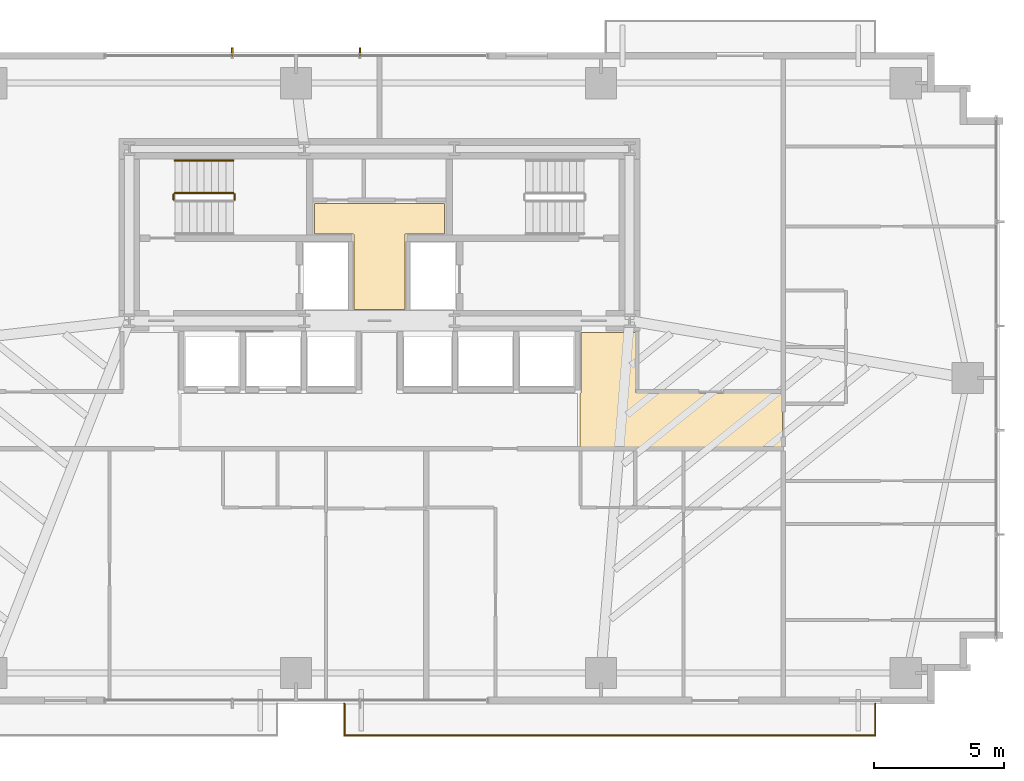
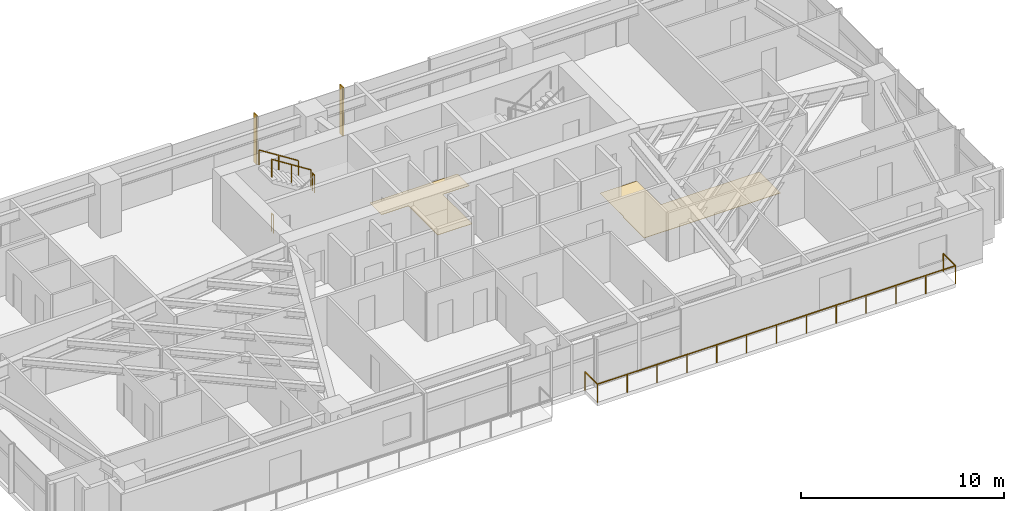
# One storey, part 24 of 25: 5 railings, 2 coverings, 2 shading devices.
"""IFC4 building model written with IfcOpenShell, lengths in metres."""

from ifc_helpers import new_model, si_unit, direction, frame, origin, origin_2d, place, context, subcontext, project, spatial, polyline, rectangle, outline, extrude, source, transform, mapped, material, layer, layer_set, type_object, type_shapes, element, save


model = new_model("IFC4")

# Units and contexts
model_context = context("Model", 3, precision=1e-05, world=origin(), true_north=direction((0.0, 1.0)))
body_context = subcontext(model_context, "Body", "Model", "MODEL_VIEW")
ifc_project = project(units=[si_unit("LENGTHUNIT", "METRE"), si_unit("AREAUNIT", "SQUARE_METRE"), si_unit("VOLUMEUNIT", "CUBIC_METRE"), si_unit("PLANEANGLEUNIT", "RADIAN"), si_unit("MASSUNIT", "GRAM", prefix="KILO")], contexts=[model_context])

# Site, building, storey
site_placement = place(None, origin())
site = spatial("IfcSite", under=ifc_project, at=site_placement, CompositionType="ELEMENT")
building_placement = place(site_placement, origin())
building = spatial("IfcBuilding", under=site, at=building_placement, Name="Astriad Promenade Condominiums", CompositionType="ELEMENT")
storey_placement = place(building_placement, frame((0.0, 0.0, 32.60009765625)))
storey = spatial("IfcBuildingStorey", under=building, at=storey_placement, Name="L08", CompositionType="ELEMENT", Elevation=32.60009765625)

# Coverings
ifc_material_1 = material(Name="Polished Lakefront Terrazzo Flooring")
ifc_layer = layer(ifc_material_1, 0.02001953125)
ifc_layer_set = layer_set([ifc_layer], Name="Polished Lakefront Terrazzo Flooring")
covering_type = type_object("IfcCoveringType", Name="COV-FLOR-TERRAZZO-20", PredefinedType="FLOORING", material=ifc_layer_set)
covering_1_placement = place(storey_placement, origin())
element("IfcCovering", 1, at=covering_1_placement, inside=storey, type_object=covering_type, Name="FLR-L08-CSL", PredefinedType="FLOORING", context=body_context, shape_type="SweptSolid", body=[
    extrude(outline(polyline([(36.97998046875, 20.699951171875), (36.97998046875, 17.840087890625), (35.02001953125, 17.840087890625), (35.02001953125, 20.699951171875), (35.019775390625, 20.703857421875), (35.019287109375, 20.707763671875), (35.018310546875, 20.711669921875), (35.01708984375, 20.71533203125), (35.015380859375, 20.718994140625), (35.01318359375, 20.72216796875), (35.010986328125, 20.725341796875), (35.00830078125, 20.728271484375), (35.00537109375, 20.73095703125), (35.002197265625, 20.7333984375), (34.998779296875, 20.7353515625), (34.995361328125, 20.737060546875), (34.99169921875, 20.73828125), (34.98779296875, 20.7392578125), (34.98388671875, 20.73974609375), (34.97998046875, 20.739990234375), (33.5, 20.739990234375), (33.5, 21.909912109375), (38.5, 21.909912109375), (38.5, 20.739990234375), (37.02001953125, 20.739990234375), (37.01611328125, 20.73974609375), (37.01220703125, 20.7392578125), (37.00830078125, 20.73828125), (37.004638671875, 20.737060546875), (37.001220703125, 20.7353515625), (36.997802734375, 20.7333984375), (36.99462890625, 20.73095703125), (36.99169921875, 20.728271484375), (36.989013671875, 20.725341796875), (36.98681640625, 20.72216796875), (36.984619140625, 20.718994140625), (36.98291015625, 20.71533203125), (36.981689453125, 20.711669921875), (36.980712890625, 20.707763671875), (36.980224609375, 20.703857421875), (36.97998046875, 20.699951171875)])), origin(), (0.0, 0.0, 1.0), 0.02001953125),
])
covering_2_placement = place(storey_placement, origin())
element("IfcCovering", 2, at=covering_2_placement, inside=storey, type_object=covering_type, Name="FLR-L08-COR-1", PredefinedType="FLOORING", context=body_context, shape_type="SweptSolid", body=[
    extrude(outline(polyline([(43.699951171875, 12.530029296875), (43.699951171875, 14.610107421875), (43.703857421875, 14.610107421875), (43.707763671875, 14.61083984375), (43.711669921875, 14.61181640625), (43.71533203125, 14.613037109375), (43.718994140625, 14.61474609375), (43.72216796875, 14.61669921875), (43.725341796875, 14.619140625), (43.728271484375, 14.62158203125), (43.73095703125, 14.62451171875), (43.7333984375, 14.627685546875), (43.7353515625, 14.631103515625), (43.737060546875, 14.634765625), (43.73828125, 14.638427734375), (43.7392578125, 14.64208984375), (43.73974609375, 14.64599609375), (43.739990234375, 14.64990234375), (43.739990234375, 16.9599609375), (45.840087890625, 16.9599609375), (45.840087890625, 14.659912109375), (45.840087890625, 14.656005859375), (45.8408203125, 14.652099609375), (45.841796875, 14.6484375), (45.843017578125, 14.644775390625), (45.8447265625, 14.64111328125), (45.8466796875, 14.6376953125), (45.84912109375, 14.634521484375), (45.851806640625, 14.631591796875), (45.8544921875, 14.629150390625), (45.85791015625, 14.626708984375), (45.861083984375, 14.624755859375), (45.86474609375, 14.623046875), (45.868408203125, 14.62158203125), (45.872314453125, 14.620849609375), (45.876220703125, 14.6201171875), (45.8798828125, 14.6201171875), (51.4599609375, 14.6201171875), (51.4599609375, 12.530029296875), (43.699951171875, 12.530029296875)])), origin(), (0.0, 0.0, 1.0), 0.02001953125),
])

# Shading devices
ifc_material_2 = material(Name="Anodised aluminium 6063-T6 Black Fin", Category="aluminium")
shading_device_type = type_object("IfcShadingDeviceType", Name="FIN-BLACK-320", PredefinedType="USERDEFINED", material=ifc_material_2)
shared_shape_1 = source(origin(), body_context, "Body", "SweptSolid", [
    extrude(rectangle(XDim=0.06494140625, YDim=0.320068359375, at=origin_2d()), origin(), (0.0, 0.0, 1.0), 2.93994140625),
])
type_shapes(shading_device_type, [shared_shape_1])
for number, where, z_axis, x_axis, name in (
    (3, (30.35009765625, 27.7099609375, 0.0), (0.0, 0.0, 1.0), (1.0, 0.0, 0.0), "CW-L08-N-FIN-01"),
    (4, (35.25, 27.7099609375, 0.0), (0.0, 0.0, 1.0), (1.0, 0.0, 0.0), "CW-L08-N-FIN-02"),
):
    element("IfcShadingDevice", number, at=place(storey_placement, frame(where, z_axis=z_axis, x_axis=x_axis)), inside=storey, type_object=shading_device_type, Name=name, ObjectType="FIN", PredefinedType="USERDEFINED", context=body_context, shape_type="MappedRepresentation", body=[
        mapped(shared_shape_1, transform((0.0, 0.0, 0.0), scale=1.0)),
    ])

# Railings
ifc_material_3 = material(Name="Laminated Glass and Stainless Steel Balustrade", Category="steel")
railing_type_1 = type_object("IfcRailingType", Name="GRD-BALC-1120", PredefinedType="BALUSTRADE", material=ifc_material_3)
shared_shape_2 = source(origin(), body_context, "Body", "SweptSolid", [
    extrude(rectangle(XDim=0.048095703125, YDim=0.048095703125, at=origin_2d()), frame((0.0, 0.0, 1.09619140625), z_axis=(0.0, -1.0, 0.0), x_axis=(1.0, 0.0, 0.0)), (0.0, 0.0, 1.0), 1.219970703125),
    extrude(rectangle(XDim=0.048095703125, YDim=0.048095703125, at=origin_2d()), frame((0.0, -1.219970703125, 1.09619140625), z_axis=(1.0, 0.0, 0.0), x_axis=(0.0, 1.0, 0.0)), (0.0, 0.0, 1.0), 20.37109375),
    extrude(rectangle(XDim=0.048095703125, YDim=0.048095703125, at=origin_2d()), frame((20.37109375, -1.219970703125, 1.09619140625), z_axis=(0.0, 1.0, 0.0), x_axis=(-1.0, 0.0, 0.0)), (0.0, 0.0, 1.0), 1.219970703125),
    extrude(rectangle(XDim=0.0419921875, YDim=0.0419921875, at=origin_2d()), origin(), (0.0, 0.0, 1.0), 1.072021484375),
    extrude(rectangle(XDim=0.0419921875, YDim=0.0419921875, at=origin_2d()), frame((0.0, -1.219970703125, 0.0)), (0.0, 0.0, 1.0), 1.072021484375),
    extrude(rectangle(XDim=0.0419921875, YDim=0.0419921875, at=origin_2d()), frame((1.697509765625, -1.219970703125, 0.0)), (0.0, 0.0, 1.0), 1.072021484375),
    extrude(rectangle(XDim=0.0419921875, YDim=0.0419921875, at=origin_2d()), frame((3.395263671875, -1.219970703125, 0.0)), (0.0, 0.0, 1.0), 1.072021484375),
    extrude(rectangle(XDim=0.0419921875, YDim=0.0419921875, at=origin_2d()), frame((5.0927734375, -1.219970703125, 0.0)), (0.0, 0.0, 1.0), 1.072021484375),
    extrude(rectangle(XDim=0.0419921875, YDim=0.0419921875, at=origin_2d()), frame((6.790283203125, -1.219970703125, 0.0)), (0.0, 0.0, 1.0), 1.072021484375),
    extrude(rectangle(XDim=0.0419921875, YDim=0.0419921875, at=origin_2d()), frame((8.488037109375, -1.219970703125, 0.0)), (0.0, 0.0, 1.0), 1.072021484375),
    extrude(rectangle(XDim=0.0419921875, YDim=0.0419921875, at=origin_2d()), frame((10.185546875, -1.219970703125, 0.0)), (0.0, 0.0, 1.0), 1.072021484375),
    extrude(rectangle(XDim=0.0419921875, YDim=0.0419921875, at=origin_2d()), frame((11.883056640625, -1.219970703125, 0.0)), (0.0, 0.0, 1.0), 1.072021484375),
    extrude(rectangle(XDim=0.0419921875, YDim=0.0419921875, at=origin_2d()), frame((13.580810546875, -1.219970703125, 0.0)), (0.0, 0.0, 1.0), 1.072021484375),
    extrude(rectangle(XDim=0.0419921875, YDim=0.0419921875, at=origin_2d()), frame((15.2783203125, -1.219970703125, 0.0)), (0.0, 0.0, 1.0), 1.072021484375),
    extrude(rectangle(XDim=0.0419921875, YDim=0.0419921875, at=origin_2d()), frame((16.975830078125, -1.219970703125, 0.0)), (0.0, 0.0, 1.0), 1.072021484375),
    extrude(rectangle(XDim=0.0419921875, YDim=0.0419921875, at=origin_2d()), frame((18.673583984375, -1.219970703125, 0.0)), (0.0, 0.0, 1.0), 1.072021484375),
    extrude(rectangle(XDim=0.0419921875, YDim=0.0419921875, at=origin_2d()), frame((20.37109375, -1.219970703125, 0.0)), (0.0, 0.0, 1.0), 1.072021484375),
    extrude(rectangle(XDim=0.0419921875, YDim=0.0419921875, at=origin_2d()), frame((20.37109375, 0.0, 0.0)), (0.0, 0.0, 1.0), 1.072021484375),
])
type_shapes(railing_type_1, [shared_shape_2])
railing_1_placement = place(storey_placement, frame((34.656005859375, 2.699951171875, 0.0)))
element("IfcRailing", 5, at=railing_1_placement, inside=storey, type_object=railing_type_1, Name="GRD-BALC-L08-SE", PredefinedType="BALUSTRADE", context=body_context, shape_type="MappedRepresentation", body=[
    mapped(shared_shape_2, transform((0.0, 0.0, 0.0), scale=1.0)),
])
ifc_material_4 = material(Name="Painted Galvanised Steel Guardrail", Category="steel")
railing_type_2 = type_object("IfcRailingType", Name="GRD-STAIR-1100", PredefinedType="GUARDRAIL", material=ifc_material_4)
shared_shape_3 = source(origin(), body_context, "Body", "SweptSolid", [
    extrude(rectangle(XDim=0.048095703125, YDim=0.048095703125, at=origin_2d()), frame((0.0, 0.0, 1.076171875), z_axis=(0.0, 1.0, 0.0), x_axis=(-1.0, 0.0, 0.0)), (0.0, 0.0, 1.0), 0.199951171875),
    extrude(rectangle(XDim=0.0419921875, YDim=0.0419921875, at=origin_2d()), origin(), (0.0, 0.0, 1.0), 1.052001953125),
    extrude(rectangle(XDim=0.0419921875, YDim=0.0419921875, at=origin_2d()), frame((0.0, 0.199951171875, 0.0)), (0.0, 0.0, 1.0), 1.052001953125),
])
for number, where, name in (
    (6, (30.43994140625, 22.050048828125, 1.599853515625), "L08 ST-1 stair guard 2"),
    (7, (28.10009765625, 22.050048828125, 0.0), "L08 ST-1 stair guard 4"),
):
    element("IfcRailing", number, at=place(storey_placement, frame(where)), inside=storey, type_object=railing_type_2, Name=name, PredefinedType="GUARDRAIL", context=body_context, shape_type="MappedRepresentation", body=[
        mapped(shared_shape_3, transform((0.0, 0.0, 0.0), scale=1.0)),
    ])
shared_shape_4 = source(origin(), body_context, "Body", "SweptSolid", [
    extrude(rectangle(XDim=0.048095703125, YDim=0.048095703125, at=origin_2d()), frame((0.0, 0.0, 1.076171875), z_axis=(-0.84418770128, 0.0, 0.536047689118), x_axis=(0.0, -1.0, 0.0)), (0.0, 0.0, 1.0), 2.6533203125),
    extrude(rectangle(XDim=0.0419921875, YDim=0.0419921875, at=origin_2d()), origin(), (0.0, 0.0, 1.0), 1.052001953125),
    extrude(rectangle(XDim=0.0419921875, YDim=0.0419921875, at=origin_2d()), frame((-1.1201171875, 0.0, 0.711181640625)), (0.0, 0.0, 1.0), 1.052001953125),
    extrude(rectangle(XDim=0.0419921875, YDim=0.0419921875, at=origin_2d()), frame((-2.239990234375, 0.0, 1.42236328125)), (0.0, 0.0, 1.0), 1.052001953125),
])
type_shapes(railing_type_2, [shared_shape_3, shared_shape_4])
railing_2_placement = place(storey_placement, frame((30.389892578125, 22.300048828125, 1.777587890625)))
element("IfcRailing", 8, at=railing_2_placement, inside=storey, type_object=railing_type_2, Name="L08 ST-1 stair guard 3", PredefinedType="GUARDRAIL", context=body_context, shape_type="MappedRepresentation", body=[
    mapped(shared_shape_4, transform((0.0, 0.0, 0.0), scale=1.0)),
])
ifc_material_5 = material(Name="Brushed Stainless Steel Handrail", Category="steel")
railing_type_3 = type_object("IfcRailingType", Name="HRL-STAIR-920", PredefinedType="HANDRAIL", material=ifc_material_5)
shared_shape_5 = source(origin(), body_context, "Body", "SweptSolid", [
    extrude(rectangle(XDim=0.048095703125, YDim=0.048095703125, at=origin_2d()), frame((0.0, 0.0, 0.8759765625), z_axis=(-0.84418770128, 0.0, 0.536047689118), x_axis=(0.0, -1.0, 0.0)), (0.0, 0.0, 1.0), 2.6533203125),
    extrude(rectangle(XDim=0.0419921875, YDim=0.0419921875, at=origin_2d()), origin(), (0.0, 0.0, 1.0), 0.851806640625),
    extrude(rectangle(XDim=0.0419921875, YDim=0.0419921875, at=origin_2d()), frame((-1.1201171875, 0.0, 0.711181640625)), (0.0, 0.0, 1.0), 0.851806640625),
    extrude(rectangle(XDim=0.0419921875, YDim=0.0419921875, at=origin_2d()), frame((-2.239990234375, 0.0, 1.42236328125)), (0.0, 0.0, 1.0), 0.851806640625),
])
type_shapes(railing_type_3, [shared_shape_5])
railing_3_placement = place(storey_placement, frame((30.389892578125, 23.550048828125, 1.777587890625)))
element("IfcRailing", 9, at=railing_3_placement, inside=storey, type_object=railing_type_3, Name="L08 ST-1 stair handrail 2", PredefinedType="HANDRAIL", context=body_context, shape_type="MappedRepresentation", body=[
    mapped(shared_shape_5, transform((0.0, 0.0, 0.0), scale=1.0)),
])

save(model, "model.ifc")
